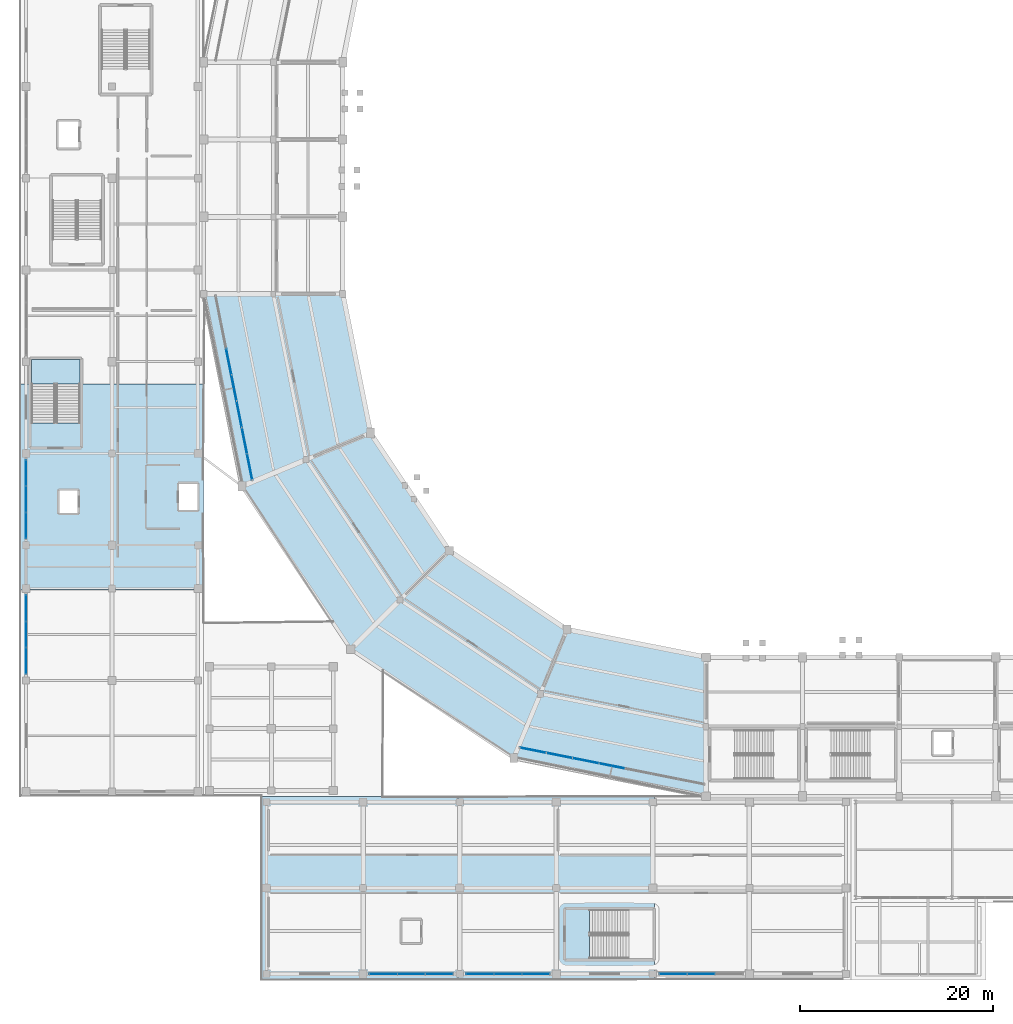
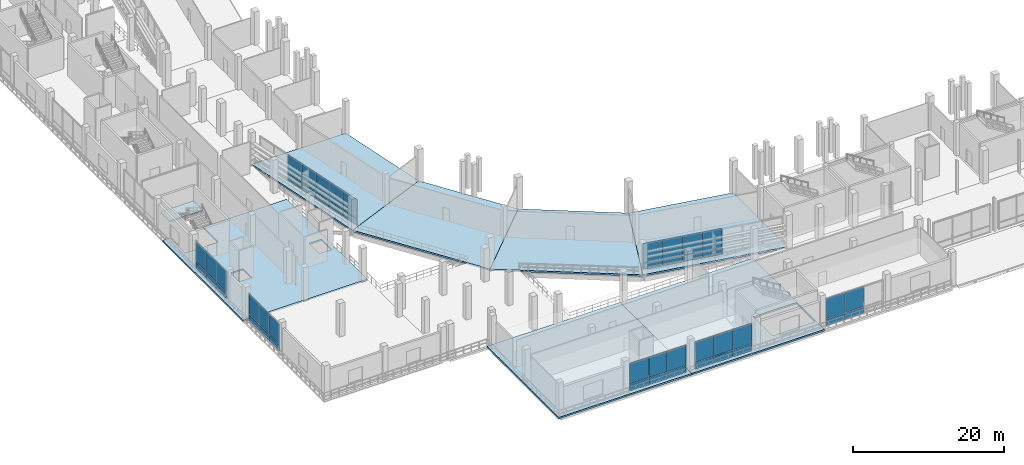
# One storey, part 62 of 114: 46 plates, 8 slabs, 8 elements without a shape of their own.
"""IFC4 building model written with IfcOpenShell, lengths in metres."""

from ifc_helpers import new_model, si_unit, direction, frame, origin, origin_2d, place, context, subcontext, project, spatial, polyline, rectangle, outline, extrude, material, layer, layer_set, type_object, element, aggregate, save


model = new_model("IFC4")

# Units and contexts
model_context = context("Model", 3, precision=1e-05, world=origin(), true_north=direction((0.0, 1.0)))
body_context = subcontext(model_context, "Body", "Model", "MODEL_VIEW")
ifc_project = project(units=[si_unit("LENGTHUNIT", "METRE"), si_unit("AREAUNIT", "SQUARE_METRE"), si_unit("VOLUMEUNIT", "CUBIC_METRE"), si_unit("PLANEANGLEUNIT", "RADIAN"), si_unit("MASSUNIT", "GRAM", prefix="KILO")], contexts=[model_context])

# Site, building, storey
site_placement = place(None, origin())
site = spatial("IfcSite", under=ifc_project, at=site_placement, CompositionType="ELEMENT")
building_placement = place(site_placement, origin())
building = spatial("IfcBuilding", under=site, at=building_placement, Name="Candeia Ridge Stadium", CompositionType="ELEMENT")
storey_placement = place(building_placement, frame((0.0, 0.0, 5.39990234375)))
storey = spatial("IfcBuildingStorey", under=building, at=storey_placement, Name="L01", CompositionType="ELEMENT", Elevation=5.39990234375)

# Slabs
ifc_material_1 = material(Name="Concrete C40/50", Category="concrete")
ifc_layer_1 = layer(ifc_material_1, 0.260009765625, Name="Concrete C40/50", Category="concrete")
ifc_layer_set_1 = layer_set([ifc_layer_1], Name="Concrete C40/50")
slab_type_1 = type_object("IfcSlabType", Name="Concourse Structural Slab 260", PredefinedType="FLOOR", material=ifc_layer_set_1)
slab_1_placement = place(storey_placement, frame((0.0, 0.0, -0.260009765625)))
element("IfcSlab", 1, at=slab_1_placement, inside=storey, type_object=slab_type_1, Name="Bowl concourse sector slab L01 bay 15 SLB-L01-0051", PredefinedType="FLOOR", context=body_context, shape_type="SweptSolid", body=[
    extrude(outline(polyline([(36.26220703125, 56.611083984375), (22.958251953125, 51.1005859375), (19.0, 71.0), (33.39990234375, 71.0), (36.26220703125, 56.611083984375)])), origin(), (0.0, 0.0, 1.0), 0.260009765625),
])
slab_2_placement = place(storey_placement, frame((0.0, 0.0, -0.260009765625)))
element("IfcSlab", 2, at=slab_2_placement, inside=storey, type_object=slab_type_1, Name="Bowl concourse sector slab L01 bay 16 SLB-L01-0052", PredefinedType="FLOOR", context=body_context, shape_type="SweptSolid", body=[
    extrude(outline(polyline([(44.412841796875, 44.412841796875), (34.23046875, 34.23046875), (22.958251953125, 51.1005859375), (36.26220703125, 56.611083984375), (44.412841796875, 44.412841796875)])), origin(), (0.0, 0.0, 1.0), 0.260009765625),
])
slab_3_placement = place(storey_placement, frame((0.0, 0.0, -0.260009765625)))
element("IfcSlab", 3, at=slab_3_placement, inside=storey, type_object=slab_type_1, Name="Bowl concourse sector slab L01 bay 17 SLB-L01-0053", PredefinedType="FLOOR", context=body_context, shape_type="SweptSolid", body=[
    extrude(outline(polyline([(56.611083984375, 36.26220703125), (51.1005859375, 22.958251953125), (34.23046875, 34.23046875), (44.412841796875, 44.412841796875), (56.611083984375, 36.26220703125)])), origin(), (0.0, 0.0, 1.0), 0.260009765625),
])
slab_4_placement = place(storey_placement, frame((0.0, 0.0, -0.260009765625)))
element("IfcSlab", 4, at=slab_4_placement, inside=storey, type_object=slab_type_1, Name="Bowl concourse sector slab L01 bay 18 SLB-L01-0054", PredefinedType="FLOOR", context=body_context, shape_type="SweptSolid", body=[
    extrude(outline(polyline([(70.960693359375, 33.40771484375), (70.960693359375, 19.0078125), (51.1005859375, 22.958251953125), (56.611083984375, 36.26220703125), (70.960693359375, 33.40771484375)])), origin(), (0.0, 0.0, 1.0), 0.260009765625),
])

# Stair, slab
stair_type = type_object("IfcStairType", Name="Enclosed Core Half-Turn Stair 2450", PredefinedType="HALF_TURN_STAIR", material=ifc_material_1)
stair_placement = place(storey_placement, origin())
stair = element("IfcStair", 5, at=stair_placement, inside=storey, type_object=stair_type, Name="L01 Enclosed exit stair ST05", PredefinedType="HALF_TURN_STAIR")
ifc_layer_2 = layer(ifc_material_1, 0.199951171875, Name="Concrete C40/50", Category="concrete")
ifc_layer_set_2 = layer_set([ifc_layer_2], Name="Concrete C40/50")
slab_type_2 = type_object("IfcSlabType", Name="Core Stair Landing Slab 200", PredefinedType="LANDING", material=ifc_layer_set_2)
slab_5_placement = place(storey_placement, frame((0.0, 0.0, 2.5)))
slab_5 = element("IfcSlab", 6, at=slab_5_placement, type_object=slab_type_2, Name="ST05 landing 1", PredefinedType="LANDING", context=body_context, shape_type="SweptSolid", body=[
    extrude(outline(polyline([(6.199951171875, 61.7099609375), (6.199951171875, 64.199951171875), (1.14990234375, 64.199951171875), (1.14990234375, 61.7099609375), (6.199951171875, 61.7099609375)])), origin(), (0.0, 0.0, 1.0), 0.2001953125),
])
aggregate(stair, [slab_5])

# Curtain wall, plates
ifc_material_2 = material(Name="Aluminium Anodized Warm Bronze", Category="aluminium")
curtain_wall_type_1 = type_object("IfcCurtainWallType", Name="Cardinal Entrance Gate Tall Glazed Curtain Wall", PredefinedType="NOTDEFINED", material=ifc_material_2)
curtain_wall_1_placement = place(storey_placement, origin())
curtain_wall_1 = element("IfcCurtainWall", 7, at=curtain_wall_1_placement, inside=storey, type_object=curtain_wall_type_1, Name="Unitised curtain wall CW-WNG-L01-075", PredefinedType="NOTDEFINED")
ifc_material_3 = material(Name="Laminated Acoustic Glazing", Category="glass")
ifc_layer_3 = layer(ifc_material_3, 0.035888671875, Name="Laminated Acoustic Glazing", Category="glass")
ifc_layer_set_3 = layer_set([ifc_layer_3], Name="Laminated Acoustic Glazing")
plate_type_1 = type_object("IfcPlateType", Name="Gate Tall Laminated Glass Panel GP3", PredefinedType="CURTAIN_PANEL", material=ifc_layer_set_3)
plate_1_placement = place(storey_placement, frame((0.60009765625, 33.023193359375, 1.14013671875), z_axis=(0.0, 0.0, 1.0), x_axis=(0.0, 1.0, 0.0)))
plate_1 = element("IfcPlate", 8, at=plate_1_placement, type_object=plate_type_1, Name="Curtain wall vision glass panel CW-WNG-L01-075-GP0", PredefinedType="CURTAIN_PANEL", context=body_context, shape_type="SweptSolid", body=[
    extrude(rectangle(XDim=2.65673828125, YDim=0.035888671875, at=origin_2d()), origin(), (0.0, 0.0, 1.0), 3.294921875),
])
plate_2_placement = place(storey_placement, frame((0.60009765625, 35.75, 1.14013671875), z_axis=(0.0, 0.0, 1.0), x_axis=(0.0, 1.0, 0.0)))
plate_2 = element("IfcPlate", 9, at=plate_2_placement, type_object=plate_type_1, Name="Curtain wall vision glass panel CW-WNG-L01-075-GP1", PredefinedType="CURTAIN_PANEL", context=body_context, shape_type="SweptSolid", body=[
    extrude(rectangle(XDim=2.65673828125, YDim=0.035888671875, at=origin_2d()), origin(), (0.0, 0.0, 1.0), 3.294921875),
])
plate_3_placement = place(storey_placement, frame((0.60009765625, 38.476806640625, 1.14013671875), z_axis=(0.0, 0.0, 1.0), x_axis=(0.0, 1.0, 0.0)))
plate_3 = element("IfcPlate", 10, at=plate_3_placement, type_object=plate_type_1, Name="Curtain wall vision glass panel CW-WNG-L01-075-GP2", PredefinedType="CURTAIN_PANEL", context=body_context, shape_type="SweptSolid", body=[
    extrude(rectangle(XDim=2.65673828125, YDim=0.035888671875, at=origin_2d()), origin(), (0.0, 0.0, 1.0), 3.294921875),
])

curtain_wall_2_placement = place(storey_placement, origin())
curtain_wall_2 = element("IfcCurtainWall", 11, at=curtain_wall_2_placement, inside=storey, type_object=curtain_wall_type_1, Name="Unitised curtain wall CW-WNG-L01-076", PredefinedType="NOTDEFINED")
plate_4_placement = place(storey_placement, frame((0.60009765625, 47.023193359375, 1.14013671875), z_axis=(0.0, 0.0, 1.0), x_axis=(0.0, 1.0, 0.0)))
plate_4 = element("IfcPlate", 12, at=plate_4_placement, type_object=plate_type_1, Name="Curtain wall vision glass panel CW-WNG-L01-076-GP0", PredefinedType="CURTAIN_PANEL", context=body_context, shape_type="SweptSolid", body=[
    extrude(rectangle(XDim=2.65673828125, YDim=0.035888671875, at=origin_2d()), origin(), (0.0, 0.0, 1.0), 3.294921875),
])
plate_5_placement = place(storey_placement, frame((0.60009765625, 49.75, 1.14013671875), z_axis=(0.0, 0.0, 1.0), x_axis=(0.0, 1.0, 0.0)))
plate_5 = element("IfcPlate", 13, at=plate_5_placement, type_object=plate_type_1, Name="Curtain wall vision glass panel CW-WNG-L01-076-GP1", PredefinedType="CURTAIN_PANEL", context=body_context, shape_type="SweptSolid", body=[
    extrude(rectangle(XDim=2.65673828125, YDim=0.035888671875, at=origin_2d()), origin(), (0.0, 0.0, 1.0), 3.294921875),
])
plate_6_placement = place(storey_placement, frame((0.60009765625, 52.476806640625, 1.14013671875), z_axis=(0.0, 0.0, 1.0), x_axis=(0.0, 1.0, 0.0)))
plate_6 = element("IfcPlate", 14, at=plate_6_placement, type_object=plate_type_1, Name="Curtain wall vision glass panel CW-WNG-L01-076-GP2", PredefinedType="CURTAIN_PANEL", context=body_context, shape_type="SweptSolid", body=[
    extrude(rectangle(XDim=2.65673828125, YDim=0.035888671875, at=origin_2d()), origin(), (0.0, 0.0, 1.0), 3.294921875),
])

# Slabs
ifc_layer_4 = layer(ifc_material_1, 0.25, Name="Concrete C40/50", Category="concrete")
ifc_layer_set_4 = layer_set([ifc_layer_4], Name="Concrete C40/50")
slab_type_3 = type_object("IfcSlabType", Name="Hospitality & Museum Slab 250", PredefinedType="FLOOR", material=ifc_layer_set_4)
slab_6_placement = place(storey_placement, frame((0.0, 0.0, -0.25)))
element("IfcSlab", 15, at=slab_6_placement, inside=storey, type_object=slab_type_3, Name="Wing floor slab west SLB-L01-0213", PredefinedType="FLOOR", context=body_context, shape_type="SweptSolid", body=[
    extrude(outline(polyline([(19.0, 61.666748046875), (19.0, 40.333251953125), (0.0, 40.333251953125), (0.0, 61.666748046875), (1.14990234375, 61.666748046875), (1.14990234375, 57.650634765625), (6.199951171875, 57.650634765625), (6.199951171875, 61.666748046875), (19.0, 61.666748046875)]), holes=[polyline([(5.949951171875, 48.35009765625), (5.949951171875, 50.64990234375), (4.050048828125, 50.64990234375), (4.050048828125, 48.35009765625), (5.949951171875, 48.35009765625)]), polyline([(18.35009765625, 48.64990234375), (18.35009765625, 51.35009765625), (16.449951171875, 51.35009765625), (16.449951171875, 48.64990234375), (18.35009765625, 48.64990234375)])]), origin(), (0.0, 0.0, 1.0), 0.25),
])
slab_7_placement = place(storey_placement, frame((0.0, 0.0, -0.25)))
element("IfcSlab", 16, at=slab_7_placement, inside=storey, type_object=slab_type_3, Name="Wing floor slab sw_s SLB-L01-0224", PredefinedType="FLOOR", context=body_context, shape_type="SweptSolid", body=[
    extrude(outline(polyline([(25.0, 0.0), (25.0, 19.0), (45.333251953125, 19.0), (45.333251953125, 0.0), (25.0, 0.0)]), holes=[polyline([(41.449951171875, 3.85009765625), (41.449951171875, 6.14990234375), (39.550048828125, 6.14990234375), (39.550048828125, 3.85009765625), (41.449951171875, 3.85009765625)])]), origin(), (0.0, 0.0, 1.0), 0.25),
])
slab_8_placement = place(storey_placement, frame((0.0, 0.0, -0.25)))
element("IfcSlab", 17, at=slab_8_placement, inside=storey, type_object=slab_type_3, Name="Wing floor slab sw_s SLB-L01-0225", PredefinedType="FLOOR", context=body_context, shape_type="SweptSolid", body=[
    extrude(outline(polyline([(45.333251953125, 0.0), (45.333251953125, 19.0), (65.666748046875, 19.0), (65.666748046875, 0.0), (45.333251953125, 0.0)]), holes=[polyline([(58.95068359375, 2.199951171875), (65.5, 2.199951171875), (65.5, 7.25), (58.95068359375, 7.25), (58.95068359375, 2.199951171875)])]), origin(), (0.0, 0.0, 1.0), 0.25),
])

# Curtain wall, plates
curtain_wall_type_2 = type_object("IfcCurtainWallType", Name="Concourse Recessed Unitised Curtain Wall", PredefinedType="NOTDEFINED", material=ifc_material_2)
curtain_wall_3_placement = place(storey_placement, origin())
curtain_wall_3 = element("IfcCurtainWall", 18, at=curtain_wall_3_placement, inside=storey, type_object=curtain_wall_type_2, Name="Unitised curtain wall CW-BWL-L01-17", PredefinedType="NOTDEFINED")
ifc_material_4 = material(Name="Aluminium Insulated Spandrel", Category="aluminium")
ifc_layer_5 = layer(ifc_material_4, 0.06494140625, Name="Aluminium Insulated Spandrel", Category="aluminium")
ifc_layer_set_5 = layer_set([ifc_layer_5], Name="Aluminium Insulated Spandrel")
plate_type_2 = type_object("IfcPlateType", Name="Insulated Bronze Spandrel Panel SP4", PredefinedType="CURTAIN_PANEL", material=ifc_layer_set_5)
plate_7_placement = place(storey_placement, frame((53.099609375, 23.760498046875, 0.0400390625), z_axis=(0.0, 0.0, 1.0), x_axis=(0.980785280696, -0.195090320544, 0.0)))
plate_7 = element("IfcPlate", 19, at=plate_7_placement, type_object=plate_type_2, Name="Curtain wall spandrel panel CW-BWL-L01-17-SP0", PredefinedType="CURTAIN_PANEL", context=body_context, shape_type="SweptSolid", body=[
    extrude(rectangle(XDim=2.710205078125, YDim=0.06494140625, at=origin_2d()), origin(), (0.0, 0.0, 1.0), 0.97119140625),
])
plate_8_placement = place(storey_placement, frame((55.826416015625, 23.21826171875, 0.0400390625), z_axis=(0.0, 0.0, 1.0), x_axis=(0.980785280696, -0.195090320544, 0.0)))
plate_8 = element("IfcPlate", 20, at=plate_8_placement, type_object=plate_type_2, Name="Curtain wall spandrel panel CW-BWL-L01-17-SP1", PredefinedType="CURTAIN_PANEL", context=body_context, shape_type="SweptSolid", body=[
    extrude(rectangle(XDim=2.710205078125, YDim=0.06494140625, at=origin_2d()), origin(), (0.0, 0.0, 1.0), 0.97119140625),
])
plate_9_placement = place(storey_placement, frame((58.552978515625, 22.67578125, 0.0400390625), z_axis=(0.0, 0.0, 1.0), x_axis=(0.980785280696, -0.195090320544, 0.0)))
plate_9 = element("IfcPlate", 21, at=plate_9_placement, type_object=plate_type_2, Name="Curtain wall spandrel panel CW-BWL-L01-17-SP2", PredefinedType="CURTAIN_PANEL", context=body_context, shape_type="SweptSolid", body=[
    extrude(rectangle(XDim=2.710205078125, YDim=0.06494140625, at=origin_2d()), origin(), (0.0, 0.0, 1.0), 0.97119140625),
])
plate_10_placement = place(storey_placement, frame((61.27978515625, 22.13330078125, 0.0400390625), z_axis=(0.0, 0.0, 1.0), x_axis=(0.980785280696, -0.195090320544, 0.0)))
plate_10 = element("IfcPlate", 22, at=plate_10_placement, type_object=plate_type_2, Name="Curtain wall spandrel panel CW-BWL-L01-17-SP3", PredefinedType="CURTAIN_PANEL", context=body_context, shape_type="SweptSolid", body=[
    extrude(rectangle(XDim=2.710205078125, YDim=0.06494140625, at=origin_2d()), origin(), (0.0, 0.0, 1.0), 0.97119140625),
])

curtain_wall_4_placement = place(storey_placement, origin())
curtain_wall_4 = element("IfcCurtainWall", 23, at=curtain_wall_4_placement, inside=storey, type_object=curtain_wall_type_2, Name="Unitised curtain wall CW-BWL-L01-14", PredefinedType="NOTDEFINED")
ifc_layer_6 = layer(ifc_material_4, 0.06494140625, Name="Aluminium Insulated Spandrel", Category="aluminium")
ifc_layer_set_6 = layer_set([ifc_layer_6], Name="Aluminium Insulated Spandrel")
plate_type_3 = type_object("IfcPlateType", Name="Insulated Bronze Spandrel Panel SP5", PredefinedType="CURTAIN_PANEL", material=ifc_layer_set_6)
plate_11_placement = place(storey_placement, frame((21.591064453125, 64.006591796875, 0.0400390625), z_axis=(0.0, 0.0, 1.0), x_axis=(0.195090320544, -0.980785280696, 0.0)))
plate_11 = element("IfcPlate", 24, at=plate_11_placement, type_object=plate_type_3, Name="Curtain wall spandrel panel CW-BWL-L01-14-SP2", PredefinedType="CURTAIN_PANEL", context=body_context, shape_type="SweptSolid", body=[
    extrude(rectangle(XDim=2.710205078125, YDim=0.06494140625, at=origin_2d()), origin(), (0.0, 0.0, 1.0), 0.97119140625),
])
plate_12_placement = place(storey_placement, frame((22.13330078125, 61.27978515625, 0.0400390625), z_axis=(0.0, 0.0, 1.0), x_axis=(0.195090320544, -0.980785280696, 0.0)))
plate_12 = element("IfcPlate", 25, at=plate_12_placement, type_object=plate_type_3, Name="Curtain wall spandrel panel CW-BWL-L01-14-SP3", PredefinedType="CURTAIN_PANEL", context=body_context, shape_type="SweptSolid", body=[
    extrude(rectangle(XDim=2.710205078125, YDim=0.06494140625, at=origin_2d()), origin(), (0.0, 0.0, 1.0), 0.97119140625),
])
plate_13_placement = place(storey_placement, frame((22.67578125, 58.552978515625, 0.0400390625), z_axis=(0.0, 0.0, 1.0), x_axis=(0.195090320544, -0.980785280696, 0.0)))
plate_13 = element("IfcPlate", 26, at=plate_13_placement, type_object=plate_type_3, Name="Curtain wall spandrel panel CW-BWL-L01-14-SP4", PredefinedType="CURTAIN_PANEL", context=body_context, shape_type="SweptSolid", body=[
    extrude(rectangle(XDim=2.710205078125, YDim=0.06494140625, at=origin_2d()), origin(), (0.0, 0.0, 1.0), 0.97119140625),
])
plate_14_placement = place(storey_placement, frame((23.21826171875, 55.826416015625, 0.0400390625), z_axis=(0.0, 0.0, 1.0), x_axis=(0.195090320544, -0.980785280696, 0.0)))
plate_14 = element("IfcPlate", 27, at=plate_14_placement, type_object=plate_type_3, Name="Curtain wall spandrel panel CW-BWL-L01-14-SP5", PredefinedType="CURTAIN_PANEL", context=body_context, shape_type="SweptSolid", body=[
    extrude(rectangle(XDim=2.710205078125, YDim=0.06494140625, at=origin_2d()), origin(), (0.0, 0.0, 1.0), 0.97119140625),
])
plate_15_placement = place(storey_placement, frame((23.760498046875, 53.099609375, 0.0400390625), z_axis=(0.0, 0.0, 1.0), x_axis=(0.195090320544, -0.980785280696, 0.0)))
plate_15 = element("IfcPlate", 28, at=plate_15_placement, type_object=plate_type_3, Name="Curtain wall spandrel panel CW-BWL-L01-14-SP6", PredefinedType="CURTAIN_PANEL", context=body_context, shape_type="SweptSolid", body=[
    extrude(rectangle(XDim=2.710205078125, YDim=0.06494140625, at=origin_2d()), origin(), (0.0, 0.0, 1.0), 0.97119140625),
])

# Plate
ifc_layer_7 = layer(ifc_material_4, 0.06494140625, Name="Aluminium Insulated Spandrel", Category="aluminium")
ifc_layer_set_7 = layer_set([ifc_layer_7], Name="Aluminium Insulated Spandrel")
plate_type_4 = type_object("IfcPlateType", Name="Insulated Cedar-Tone Spandrel Panel SP3", PredefinedType="CURTAIN_PANEL", material=ifc_layer_set_7)
plate_16_placement = place(storey_placement, frame((0.60009765625, 33.023193359375, 0.0400390625), z_axis=(0.0, 0.0, 1.0), x_axis=(0.0, 1.0, 0.0)))
plate_16 = element("IfcPlate", 29, at=plate_16_placement, type_object=plate_type_4, Name="Curtain wall spandrel panel CW-WNG-L01-075-SP0", PredefinedType="CURTAIN_PANEL", context=body_context, shape_type="SweptSolid", body=[
    extrude(rectangle(XDim=2.65673828125, YDim=0.06494140625, at=origin_2d()), origin(), (0.0, 0.0, 1.0), 1.02001953125),
])

plate_17_placement = place(storey_placement, frame((0.60009765625, 35.75, 0.0400390625), z_axis=(0.0, 0.0, 1.0), x_axis=(0.0, 1.0, 0.0)))
plate_17 = element("IfcPlate", 30, at=plate_17_placement, type_object=plate_type_4, Name="Curtain wall spandrel panel CW-WNG-L01-075-SP1", PredefinedType="CURTAIN_PANEL", context=body_context, shape_type="SweptSolid", body=[
    extrude(rectangle(XDim=2.65673828125, YDim=0.06494140625, at=origin_2d()), origin(), (0.0, 0.0, 1.0), 1.02001953125),
])

plate_18_placement = place(storey_placement, frame((0.60009765625, 38.476806640625, 0.0400390625), z_axis=(0.0, 0.0, 1.0), x_axis=(0.0, 1.0, 0.0)))
plate_18 = element("IfcPlate", 31, at=plate_18_placement, type_object=plate_type_4, Name="Curtain wall spandrel panel CW-WNG-L01-075-SP2", PredefinedType="CURTAIN_PANEL", context=body_context, shape_type="SweptSolid", body=[
    extrude(rectangle(XDim=2.65673828125, YDim=0.06494140625, at=origin_2d()), origin(), (0.0, 0.0, 1.0), 1.02001953125),
])

aggregate(curtain_wall_1, [plate_16, plate_1, plate_17, plate_2, plate_18, plate_3])

plate_19_placement = place(storey_placement, frame((0.60009765625, 47.023193359375, 0.0400390625), z_axis=(0.0, 0.0, 1.0), x_axis=(0.0, 1.0, 0.0)))
plate_19 = element("IfcPlate", 32, at=plate_19_placement, type_object=plate_type_4, Name="Curtain wall spandrel panel CW-WNG-L01-076-SP0", PredefinedType="CURTAIN_PANEL", context=body_context, shape_type="SweptSolid", body=[
    extrude(rectangle(XDim=2.65673828125, YDim=0.06494140625, at=origin_2d()), origin(), (0.0, 0.0, 1.0), 1.02001953125),
])

plate_20_placement = place(storey_placement, frame((0.60009765625, 49.75, 0.0400390625), z_axis=(0.0, 0.0, 1.0), x_axis=(0.0, 1.0, 0.0)))
plate_20 = element("IfcPlate", 33, at=plate_20_placement, type_object=plate_type_4, Name="Curtain wall spandrel panel CW-WNG-L01-076-SP1", PredefinedType="CURTAIN_PANEL", context=body_context, shape_type="SweptSolid", body=[
    extrude(rectangle(XDim=2.65673828125, YDim=0.06494140625, at=origin_2d()), origin(), (0.0, 0.0, 1.0), 1.02001953125),
])

plate_21_placement = place(storey_placement, frame((0.60009765625, 52.476806640625, 0.0400390625), z_axis=(0.0, 0.0, 1.0), x_axis=(0.0, 1.0, 0.0)))
plate_21 = element("IfcPlate", 34, at=plate_21_placement, type_object=plate_type_4, Name="Curtain wall spandrel panel CW-WNG-L01-076-SP2", PredefinedType="CURTAIN_PANEL", context=body_context, shape_type="SweptSolid", body=[
    extrude(rectangle(XDim=2.65673828125, YDim=0.06494140625, at=origin_2d()), origin(), (0.0, 0.0, 1.0), 1.02001953125),
])

aggregate(curtain_wall_2, [plate_19, plate_4, plate_20, plate_5, plate_21, plate_6])

# Curtain wall, plates
curtain_wall_type_3 = type_object("IfcCurtainWallType", Name="Museum & Boulevard Showcase Curtain Wall", PredefinedType="NOTDEFINED", material=ifc_material_2)
curtain_wall_5_placement = place(storey_placement, origin())
curtain_wall_5 = element("IfcCurtainWall", 35, at=curtain_wall_5_placement, inside=storey, type_object=curtain_wall_type_3, Name="Unitised curtain wall CW-WNG-L01-111", PredefinedType="NOTDEFINED")
plate_22_placement = place(storey_placement, frame((37.606689453125, 0.60009765625, 0.0400390625), z_axis=(0.0, 0.0, 1.0), x_axis=(1.0, 0.0, 0.0)))
plate_22 = element("IfcPlate", 36, at=plate_22_placement, type_object=plate_type_4, Name="Curtain wall spandrel panel CW-WNG-L01-111-SP0", PredefinedType="CURTAIN_PANEL", context=body_context, shape_type="SweptSolid", body=[
    extrude(rectangle(XDim=2.8232421875, YDim=0.06494140625, at=origin_2d()), origin(), (0.0, 0.0, 1.0), 1.02001953125),
])
plate_23_placement = place(storey_placement, frame((40.5, 0.60009765625, 0.0400390625), z_axis=(0.0, 0.0, 1.0), x_axis=(1.0, 0.0, 0.0)))
plate_23 = element("IfcPlate", 37, at=plate_23_placement, type_object=plate_type_4, Name="Curtain wall spandrel panel CW-WNG-L01-111-SP1", PredefinedType="CURTAIN_PANEL", context=body_context, shape_type="SweptSolid", body=[
    extrude(rectangle(XDim=2.8232421875, YDim=0.06494140625, at=origin_2d()), origin(), (0.0, 0.0, 1.0), 1.02001953125),
])
plate_24_placement = place(storey_placement, frame((43.393310546875, 0.60009765625, 0.0400390625), z_axis=(0.0, 0.0, 1.0), x_axis=(1.0, 0.0, 0.0)))
plate_24 = element("IfcPlate", 38, at=plate_24_placement, type_object=plate_type_4, Name="Curtain wall spandrel panel CW-WNG-L01-111-SP2", PredefinedType="CURTAIN_PANEL", context=body_context, shape_type="SweptSolid", body=[
    extrude(rectangle(XDim=2.8232421875, YDim=0.06494140625, at=origin_2d()), origin(), (0.0, 0.0, 1.0), 1.02001953125),
])

curtain_wall_6_placement = place(storey_placement, origin())
curtain_wall_6 = element("IfcCurtainWall", 39, at=curtain_wall_6_placement, inside=storey, type_object=curtain_wall_type_3, Name="Unitised curtain wall CW-WNG-L01-112", PredefinedType="NOTDEFINED")
plate_25_placement = place(storey_placement, frame((47.606689453125, 0.60009765625, 0.0400390625), z_axis=(0.0, 0.0, 1.0), x_axis=(1.0, 0.0, 0.0)))
plate_25 = element("IfcPlate", 40, at=plate_25_placement, type_object=plate_type_4, Name="Curtain wall spandrel panel CW-WNG-L01-112-SP0", PredefinedType="CURTAIN_PANEL", context=body_context, shape_type="SweptSolid", body=[
    extrude(rectangle(XDim=2.8232421875, YDim=0.06494140625, at=origin_2d()), origin(), (0.0, 0.0, 1.0), 1.02001953125),
])
plate_26_placement = place(storey_placement, frame((50.5, 0.60009765625, 0.0400390625), z_axis=(0.0, 0.0, 1.0), x_axis=(1.0, 0.0, 0.0)))
plate_26 = element("IfcPlate", 41, at=plate_26_placement, type_object=plate_type_4, Name="Curtain wall spandrel panel CW-WNG-L01-112-SP1", PredefinedType="CURTAIN_PANEL", context=body_context, shape_type="SweptSolid", body=[
    extrude(rectangle(XDim=2.8232421875, YDim=0.06494140625, at=origin_2d()), origin(), (0.0, 0.0, 1.0), 1.02001953125),
])
plate_27_placement = place(storey_placement, frame((53.393310546875, 0.60009765625, 0.0400390625), z_axis=(0.0, 0.0, 1.0), x_axis=(1.0, 0.0, 0.0)))
plate_27 = element("IfcPlate", 42, at=plate_27_placement, type_object=plate_type_4, Name="Curtain wall spandrel panel CW-WNG-L01-112-SP2", PredefinedType="CURTAIN_PANEL", context=body_context, shape_type="SweptSolid", body=[
    extrude(rectangle(XDim=2.8232421875, YDim=0.06494140625, at=origin_2d()), origin(), (0.0, 0.0, 1.0), 1.02001953125),
])

curtain_wall_7_placement = place(storey_placement, origin())
curtain_wall_7 = element("IfcCurtainWall", 43, at=curtain_wall_7_placement, inside=storey, type_object=curtain_wall_type_3, Name="Unitised curtain wall CW-WNG-L01-113", PredefinedType="NOTDEFINED")
plate_28_placement = place(storey_placement, frame((67.606689453125, 0.60009765625, 0.0400390625), z_axis=(0.0, 0.0, 1.0), x_axis=(1.0, 0.0, 0.0)))
plate_28 = element("IfcPlate", 44, at=plate_28_placement, type_object=plate_type_4, Name="Curtain wall spandrel panel CW-WNG-L01-113-SP0", PredefinedType="CURTAIN_PANEL", context=body_context, shape_type="SweptSolid", body=[
    extrude(rectangle(XDim=2.8232421875, YDim=0.06494140625, at=origin_2d()), origin(), (0.0, 0.0, 1.0), 1.02001953125),
])
plate_29_placement = place(storey_placement, frame((70.5, 0.60009765625, 0.0400390625), z_axis=(0.0, 0.0, 1.0), x_axis=(1.0, 0.0, 0.0)))
plate_29 = element("IfcPlate", 45, at=plate_29_placement, type_object=plate_type_4, Name="Curtain wall spandrel panel CW-WNG-L01-113-SP1", PredefinedType="CURTAIN_PANEL", context=body_context, shape_type="SweptSolid", body=[
    extrude(rectangle(XDim=2.8232421875, YDim=0.06494140625, at=origin_2d()), origin(), (0.0, 0.0, 1.0), 1.02001953125),
])

# Plate
ifc_material_5 = material(Name="Tempered Low-E Double Glazing", Category="glass")
ifc_layer_8 = layer(ifc_material_5, 0.035888671875, Name="Tempered Low-E Double Glazing", Category="glass")
ifc_layer_set_8 = layer_set([ifc_layer_8], Name="Tempered Low-E Double Glazing")
plate_type_5 = type_object("IfcPlateType", Name="Pavilion Panorama Glass Panel GP4", PredefinedType="CURTAIN_PANEL", material=ifc_layer_set_8)
plate_30_placement = place(storey_placement, frame((37.606689453125, 0.60009765625, 1.14013671875), z_axis=(0.0, 0.0, 1.0), x_axis=(1.0, 0.0, 0.0)))
plate_30 = element("IfcPlate", 46, at=plate_30_placement, type_object=plate_type_5, Name="Curtain wall vision glass panel CW-WNG-L01-111-GP0", PredefinedType="CURTAIN_PANEL", context=body_context, shape_type="SweptSolid", body=[
    extrude(rectangle(XDim=2.8232421875, YDim=0.035888671875, at=origin_2d()), origin(), (0.0, 0.0, 1.0), 3.294921875),
])

plate_31_placement = place(storey_placement, frame((40.5, 0.60009765625, 1.14013671875), z_axis=(0.0, 0.0, 1.0), x_axis=(1.0, 0.0, 0.0)))
plate_31 = element("IfcPlate", 47, at=plate_31_placement, type_object=plate_type_5, Name="Curtain wall vision glass panel CW-WNG-L01-111-GP1", PredefinedType="CURTAIN_PANEL", context=body_context, shape_type="SweptSolid", body=[
    extrude(rectangle(XDim=2.8232421875, YDim=0.035888671875, at=origin_2d()), origin(), (0.0, 0.0, 1.0), 3.294921875),
])

plate_32_placement = place(storey_placement, frame((43.393310546875, 0.60009765625, 1.14013671875), z_axis=(0.0, 0.0, 1.0), x_axis=(1.0, 0.0, 0.0)))
plate_32 = element("IfcPlate", 48, at=plate_32_placement, type_object=plate_type_5, Name="Curtain wall vision glass panel CW-WNG-L01-111-GP2", PredefinedType="CURTAIN_PANEL", context=body_context, shape_type="SweptSolid", body=[
    extrude(rectangle(XDim=2.8232421875, YDim=0.035888671875, at=origin_2d()), origin(), (0.0, 0.0, 1.0), 3.294921875),
])

aggregate(curtain_wall_5, [plate_22, plate_30, plate_23, plate_31, plate_24, plate_32])

plate_33_placement = place(storey_placement, frame((47.606689453125, 0.60009765625, 1.14013671875), z_axis=(0.0, 0.0, 1.0), x_axis=(1.0, 0.0, 0.0)))
plate_33 = element("IfcPlate", 49, at=plate_33_placement, type_object=plate_type_5, Name="Curtain wall vision glass panel CW-WNG-L01-112-GP0", PredefinedType="CURTAIN_PANEL", context=body_context, shape_type="SweptSolid", body=[
    extrude(rectangle(XDim=2.8232421875, YDim=0.035888671875, at=origin_2d()), origin(), (0.0, 0.0, 1.0), 3.294921875),
])

plate_34_placement = place(storey_placement, frame((50.5, 0.60009765625, 1.14013671875), z_axis=(0.0, 0.0, 1.0), x_axis=(1.0, 0.0, 0.0)))
plate_34 = element("IfcPlate", 50, at=plate_34_placement, type_object=plate_type_5, Name="Curtain wall vision glass panel CW-WNG-L01-112-GP1", PredefinedType="CURTAIN_PANEL", context=body_context, shape_type="SweptSolid", body=[
    extrude(rectangle(XDim=2.8232421875, YDim=0.035888671875, at=origin_2d()), origin(), (0.0, 0.0, 1.0), 3.294921875),
])

plate_35_placement = place(storey_placement, frame((53.393310546875, 0.60009765625, 1.14013671875), z_axis=(0.0, 0.0, 1.0), x_axis=(1.0, 0.0, 0.0)))
plate_35 = element("IfcPlate", 51, at=plate_35_placement, type_object=plate_type_5, Name="Curtain wall vision glass panel CW-WNG-L01-112-GP2", PredefinedType="CURTAIN_PANEL", context=body_context, shape_type="SweptSolid", body=[
    extrude(rectangle(XDim=2.8232421875, YDim=0.035888671875, at=origin_2d()), origin(), (0.0, 0.0, 1.0), 3.294921875),
])

aggregate(curtain_wall_6, [plate_25, plate_33, plate_26, plate_34, plate_27, plate_35])

plate_36_placement = place(storey_placement, frame((67.606689453125, 0.60009765625, 1.14013671875), z_axis=(0.0, 0.0, 1.0), x_axis=(1.0, 0.0, 0.0)))
plate_36 = element("IfcPlate", 52, at=plate_36_placement, type_object=plate_type_5, Name="Curtain wall vision glass panel CW-WNG-L01-113-GP0", PredefinedType="CURTAIN_PANEL", context=body_context, shape_type="SweptSolid", body=[
    extrude(rectangle(XDim=2.8232421875, YDim=0.035888671875, at=origin_2d()), origin(), (0.0, 0.0, 1.0), 3.294921875),
])

plate_37_placement = place(storey_placement, frame((70.5, 0.60009765625, 1.14013671875), z_axis=(0.0, 0.0, 1.0), x_axis=(1.0, 0.0, 0.0)))
plate_37 = element("IfcPlate", 53, at=plate_37_placement, type_object=plate_type_5, Name="Curtain wall vision glass panel CW-WNG-L01-113-GP1", PredefinedType="CURTAIN_PANEL", context=body_context, shape_type="SweptSolid", body=[
    extrude(rectangle(XDim=2.8232421875, YDim=0.035888671875, at=origin_2d()), origin(), (0.0, 0.0, 1.0), 3.294921875),
])

aggregate(curtain_wall_7, [plate_28, plate_36, plate_29, plate_37])

ifc_layer_9 = layer(ifc_material_5, 0.035888671875, Name="Tempered Low-E Double Glazing", Category="glass")
ifc_layer_set_9 = layer_set([ifc_layer_9], Name="Tempered Low-E Double Glazing")
plate_type_6 = type_object("IfcPlateType", Name="Solar Control Vision Glass Panel GP1", PredefinedType="CURTAIN_PANEL", material=ifc_layer_set_9)
plate_38_placement = place(storey_placement, frame((53.099609375, 23.760498046875, 1.09130859375), z_axis=(0.0, 0.0, 1.0), x_axis=(0.980785280696, -0.195090320544, 0.0)))
plate_38 = element("IfcPlate", 54, at=plate_38_placement, type_object=plate_type_6, Name="Curtain wall vision glass panel CW-BWL-L01-17-GP0", PredefinedType="CURTAIN_PANEL", context=body_context, shape_type="SweptSolid", body=[
    extrude(rectangle(XDim=2.710205078125, YDim=0.035888671875, at=origin_2d()), origin(), (0.0, 0.0, 1.0), 3.07373046875),
])

plate_39_placement = place(storey_placement, frame((55.826416015625, 23.21826171875, 1.09130859375), z_axis=(0.0, 0.0, 1.0), x_axis=(0.980785280696, -0.195090320544, 0.0)))
plate_39 = element("IfcPlate", 55, at=plate_39_placement, type_object=plate_type_6, Name="Curtain wall vision glass panel CW-BWL-L01-17-GP1", PredefinedType="CURTAIN_PANEL", context=body_context, shape_type="SweptSolid", body=[
    extrude(rectangle(XDim=2.710205078125, YDim=0.035888671875, at=origin_2d()), origin(), (0.0, 0.0, 1.0), 3.07373046875),
])

plate_40_placement = place(storey_placement, frame((58.552978515625, 22.67578125, 1.09130859375), z_axis=(0.0, 0.0, 1.0), x_axis=(0.980785280696, -0.195090320544, 0.0)))
plate_40 = element("IfcPlate", 56, at=plate_40_placement, type_object=plate_type_6, Name="Curtain wall vision glass panel CW-BWL-L01-17-GP2", PredefinedType="CURTAIN_PANEL", context=body_context, shape_type="SweptSolid", body=[
    extrude(rectangle(XDim=2.710205078125, YDim=0.035888671875, at=origin_2d()), origin(), (0.0, 0.0, 1.0), 3.07373046875),
])

plate_41_placement = place(storey_placement, frame((61.27978515625, 22.13330078125, 1.09130859375), z_axis=(0.0, 0.0, 1.0), x_axis=(0.980785280696, -0.195090320544, 0.0)))
plate_41 = element("IfcPlate", 57, at=plate_41_placement, type_object=plate_type_6, Name="Curtain wall vision glass panel CW-BWL-L01-17-GP3", PredefinedType="CURTAIN_PANEL", context=body_context, shape_type="SweptSolid", body=[
    extrude(rectangle(XDim=2.710205078125, YDim=0.035888671875, at=origin_2d()), origin(), (0.0, 0.0, 1.0), 3.07373046875),
])

aggregate(curtain_wall_3, [plate_7, plate_38, plate_8, plate_39, plate_9, plate_40, plate_10, plate_41])

ifc_layer_10 = layer(ifc_material_5, 0.035888671875, Name="Tempered Low-E Double Glazing", Category="glass")
ifc_layer_set_10 = layer_set([ifc_layer_10], Name="Tempered Low-E Double Glazing")
plate_type_7 = type_object("IfcPlateType", Name="Solar Control Vision Glass Panel GP6", PredefinedType="CURTAIN_PANEL", material=ifc_layer_set_10)
plate_42_placement = place(storey_placement, frame((21.591064453125, 64.006591796875, 1.09130859375), z_axis=(0.0, 0.0, 1.0), x_axis=(0.195090320544, -0.980785280696, 0.0)))
plate_42 = element("IfcPlate", 58, at=plate_42_placement, type_object=plate_type_7, Name="Curtain wall vision glass panel CW-BWL-L01-14-GP2", PredefinedType="CURTAIN_PANEL", context=body_context, shape_type="SweptSolid", body=[
    extrude(rectangle(XDim=2.710205078125, YDim=0.035888671875, at=origin_2d()), origin(), (0.0, 0.0, 1.0), 3.07373046875),
])

plate_43_placement = place(storey_placement, frame((22.13330078125, 61.27978515625, 1.09130859375), z_axis=(0.0, 0.0, 1.0), x_axis=(0.195090320544, -0.980785280696, 0.0)))
plate_43 = element("IfcPlate", 59, at=plate_43_placement, type_object=plate_type_7, Name="Curtain wall vision glass panel CW-BWL-L01-14-GP3", PredefinedType="CURTAIN_PANEL", context=body_context, shape_type="SweptSolid", body=[
    extrude(rectangle(XDim=2.710205078125, YDim=0.035888671875, at=origin_2d()), origin(), (0.0, 0.0, 1.0), 3.07373046875),
])

plate_44_placement = place(storey_placement, frame((22.67578125, 58.552978515625, 1.09130859375), z_axis=(0.0, 0.0, 1.0), x_axis=(0.195090320544, -0.980785280696, 0.0)))
plate_44 = element("IfcPlate", 60, at=plate_44_placement, type_object=plate_type_7, Name="Curtain wall vision glass panel CW-BWL-L01-14-GP4", PredefinedType="CURTAIN_PANEL", context=body_context, shape_type="SweptSolid", body=[
    extrude(rectangle(XDim=2.710205078125, YDim=0.035888671875, at=origin_2d()), origin(), (0.0, 0.0, 1.0), 3.07373046875),
])

plate_45_placement = place(storey_placement, frame((23.21826171875, 55.826416015625, 1.09130859375), z_axis=(0.0, 0.0, 1.0), x_axis=(0.195090320544, -0.980785280696, 0.0)))
plate_45 = element("IfcPlate", 61, at=plate_45_placement, type_object=plate_type_7, Name="Curtain wall vision glass panel CW-BWL-L01-14-GP5", PredefinedType="CURTAIN_PANEL", context=body_context, shape_type="SweptSolid", body=[
    extrude(rectangle(XDim=2.710205078125, YDim=0.035888671875, at=origin_2d()), origin(), (0.0, 0.0, 1.0), 3.07373046875),
])

plate_46_placement = place(storey_placement, frame((23.760498046875, 53.099609375, 1.09130859375), z_axis=(0.0, 0.0, 1.0), x_axis=(0.195090320544, -0.980785280696, 0.0)))
plate_46 = element("IfcPlate", 62, at=plate_46_placement, type_object=plate_type_7, Name="Curtain wall vision glass panel CW-BWL-L01-14-GP6", PredefinedType="CURTAIN_PANEL", context=body_context, shape_type="SweptSolid", body=[
    extrude(rectangle(XDim=2.710205078125, YDim=0.035888671875, at=origin_2d()), origin(), (0.0, 0.0, 1.0), 3.07373046875),
])

aggregate(curtain_wall_4, [plate_11, plate_42, plate_12, plate_43, plate_13, plate_44, plate_14, plate_45, plate_15, plate_46])

save(model, "model.ifc")
